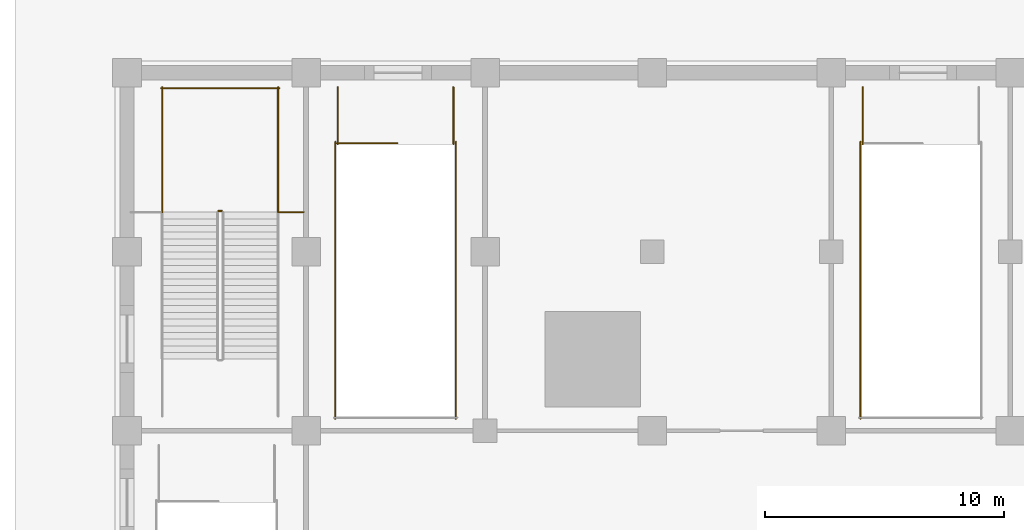
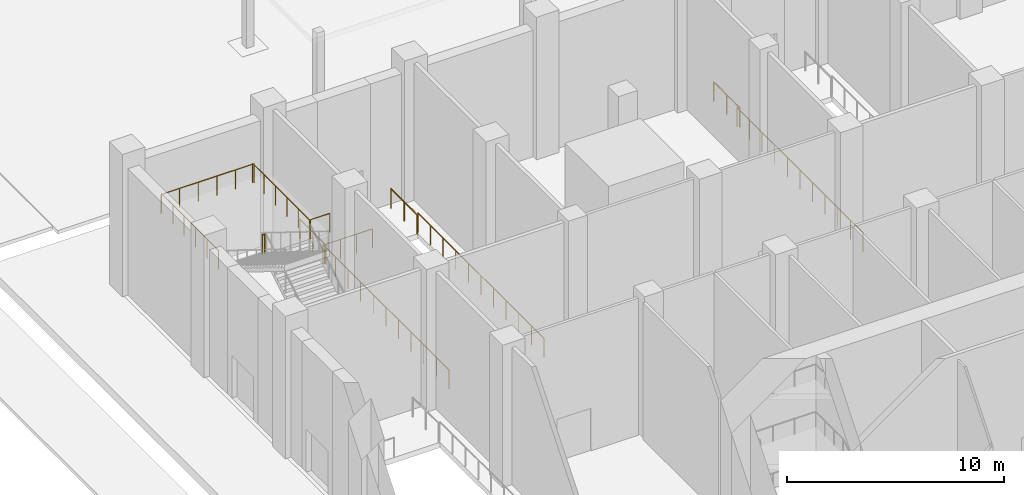
# One storey, part 47 of 57: 12 railings.
"""IFC4 building model written with IfcOpenShell, lengths in metres."""

from ifc_helpers import new_model, si_unit, direction, frame, origin, origin_2d, place, context, subcontext, project, spatial, circle, extrude, material, type_object, element, save


model = new_model("IFC4")

# Units and contexts
model_context = context("Model", 3, precision=1e-05, world=origin(), true_north=direction((0.0, 1.0)))
body_context = subcontext(model_context, "Body", "Model", "MODEL_VIEW")
ifc_project = project(units=[si_unit("LENGTHUNIT", "METRE"), si_unit("AREAUNIT", "SQUARE_METRE"), si_unit("VOLUMEUNIT", "CUBIC_METRE"), si_unit("PLANEANGLEUNIT", "RADIAN"), si_unit("MASSUNIT", "GRAM", prefix="KILO")], contexts=[model_context])

# Site, building, storey
site_placement = place(None, origin())
site = spatial("IfcSite", under=ifc_project, at=site_placement, CompositionType="ELEMENT")
building_placement = place(site_placement, origin())
building = spatial("IfcBuilding", under=site, at=building_placement, Name="Tamorin Gate", CompositionType="ELEMENT")
storey_placement = place(building_placement, origin())
storey = spatial("IfcBuildingStorey", under=building, at=storey_placement, Name="L00", CompositionType="ELEMENT", Elevation=0.0)

# Railings
ifc_material = material(Name="Steel", Category="steel")
railing_type = type_object("IfcRailingType", Name="Podium guard 1100", PredefinedType="GUARDRAIL", material=ifc_material)
railing_1_placement = place(storey_placement, frame((19.47509765625, 106.2099609375, 4.0)))
element("IfcRailing", 1, at=railing_1_placement, inside=storey, type_object=railing_type, Name="L00 PS2 stair guard 2", PredefinedType="GUARDRAIL", context=body_context, shape_type="SweptSolid", body=[
    extrude(circle(Radius=0.02392578125, at=origin_2d()), frame((0.0, 0.0, 1.076171875), z_axis=(-1.0, 0.0, 0.0), x_axis=(0.0, -1.0, 0.0)), (0.0, 0.0, 1.0), 0.150146484375),
    extrude(circle(Radius=0.02099609375, at=origin_2d()), origin(), (0.0, 0.0, 1.0), 1.052001953125),
    extrude(circle(Radius=0.02099609375, at=origin_2d()), frame((-0.150146484375, 0.0, 0.0)), (0.0, 0.0, 1.0), 1.052001953125),
])
for number, where, name in (
    (2, (21.824951171875, 106.159912109375, 4.0), "L00 PS2 stair guard 3"),
    (3, (16.97509765625, 106.159912109375, 4.0), "L00 PS2 stair guard 4"),
):
    element("IfcRailing", number, at=place(storey_placement, frame(where)), inside=storey, type_object=railing_type, Name=name, PredefinedType="GUARDRAIL", context=body_context, shape_type="SweptSolid", body=[
        extrude(circle(Radius=0.02392578125, at=origin_2d()), frame((0.0, 0.0, 1.076171875), z_axis=(0.0, 1.0, 0.0), x_axis=(-1.0, 0.0, 0.0)), (0.0, 0.0, 1.0), 5.239990234375),
        extrude(circle(Radius=0.02099609375, at=origin_2d()), origin(), (0.0, 0.0, 1.0), 1.052001953125),
        extrude(circle(Radius=0.02099609375, at=origin_2d()), frame((0.0, 1.048095703125, 0.0)), (0.0, 0.0, 1.0), 1.052001953125),
        extrude(circle(Radius=0.02099609375, at=origin_2d()), frame((0.0, 2.095947265625, 0.0)), (0.0, 0.0, 1.0), 1.052001953125),
        extrude(circle(Radius=0.02099609375, at=origin_2d()), frame((0.0, 3.14404296875, 0.0)), (0.0, 0.0, 1.0), 1.052001953125),
        extrude(circle(Radius=0.02099609375, at=origin_2d()), frame((0.0, 4.19189453125, 0.0)), (0.0, 0.0, 1.0), 1.052001953125),
        extrude(circle(Radius=0.02099609375, at=origin_2d()), frame((0.0, 5.239990234375, 0.0)), (0.0, 0.0, 1.0), 1.052001953125),
    ])
railing_2_placement = place(storey_placement, frame((21.875, 111.35009765625, 4.0)))
element("IfcRailing", 4, at=railing_2_placement, inside=storey, type_object=railing_type, Name="L00 PS2 stair guard 5", PredefinedType="GUARDRAIL", context=body_context, shape_type="SweptSolid", body=[
    extrude(circle(Radius=0.02392578125, at=origin_2d()), frame((0.0, 0.0, 1.076171875), z_axis=(-1.0, 0.0, 0.0), x_axis=(0.0, -1.0, 0.0)), (0.0, 0.0, 1.0), 4.949951171875),
    extrude(circle(Radius=0.02099609375, at=origin_2d()), origin(), (0.0, 0.0, 1.0), 1.052001953125),
    extrude(circle(Radius=0.02099609375, at=origin_2d()), frame((-0.989990234375, 0.0, 0.0)), (0.0, 0.0, 1.0), 1.052001953125),
    extrude(circle(Radius=0.02099609375, at=origin_2d()), frame((-1.97998046875, 0.0, 0.0)), (0.0, 0.0, 1.0), 1.052001953125),
    extrude(circle(Radius=0.02099609375, at=origin_2d()), frame((-2.969970703125, 0.0, 0.0)), (0.0, 0.0, 1.0), 1.052001953125),
    extrude(circle(Radius=0.02099609375, at=origin_2d()), frame((-3.9599609375, 0.0, 0.0)), (0.0, 0.0, 1.0), 1.052001953125),
    extrude(circle(Radius=0.02099609375, at=origin_2d()), frame((-4.949951171875, 0.0, 0.0)), (0.0, 0.0, 1.0), 1.052001953125),
])
railing_3_placement = place(storey_placement, frame((21.875, 106.159912109375, 4.0)))
element("IfcRailing", 5, at=railing_3_placement, inside=storey, type_object=railing_type, Name="Landing edge guard", PredefinedType="GUARDRAIL", context=body_context, shape_type="SweptSolid", body=[
    extrude(circle(Radius=0.02392578125, at=origin_2d()), frame((0.0, 0.0, 1.076171875), z_axis=(1.0, 0.0, 0.0), x_axis=(0.0, 1.0, 0.0)), (0.0, 0.0, 1.0), 1.02490234375),
    extrude(circle(Radius=0.02099609375, at=origin_2d()), origin(), (0.0, 0.0, 1.0), 1.052001953125),
    extrude(circle(Radius=0.02099609375, at=origin_2d()), frame((1.02490234375, 0.0, 0.0)), (0.0, 0.0, 1.0), 1.052001953125),
])
railing_4_placement = place(storey_placement, frame((24.27490234375, 109.050048828125, 0.0)))
element("IfcRailing", 6, at=railing_4_placement, inside=storey, type_object=railing_type, Name="L00 SB2 top well guard 1", PredefinedType="GUARDRAIL", context=body_context, shape_type="SweptSolid", body=[
    extrude(circle(Radius=0.02392578125, at=origin_2d()), frame((0.0, 0.0, 1.076171875), z_axis=(1.0, 0.0, 0.0), x_axis=(0.0, 1.0, 0.0)), (0.0, 0.0, 1.0), 2.550048828125),
    extrude(circle(Radius=0.02099609375, at=origin_2d()), origin(), (0.0, 0.0, 1.0), 1.052001953125),
    extrude(circle(Radius=0.02099609375, at=origin_2d()), frame((0.85009765625, 0.0, 0.0)), (0.0, 0.0, 1.0), 1.052001953125),
    extrude(circle(Radius=0.02099609375, at=origin_2d()), frame((1.699951171875, 0.0, 0.0)), (0.0, 0.0, 1.0), 1.052001953125),
    extrude(circle(Radius=0.02099609375, at=origin_2d()), frame((2.550048828125, 0.0, 0.0)), (0.0, 0.0, 1.0), 1.052001953125),
])
for number, where, name in (
    (7, (24.22509765625, 109.10009765625, 0.0), "L00 SB2 top well guard 2"),
    (8, (29.27490234375, 109.10009765625, 0.0), "L00 SB2 top well guard 3"),
):
    element("IfcRailing", number, at=place(storey_placement, frame(where)), inside=storey, type_object=railing_type, Name=name, PredefinedType="GUARDRAIL", context=body_context, shape_type="SweptSolid", body=[
        extrude(circle(Radius=0.02392578125, at=origin_2d()), frame((0.0, 0.0, 1.076171875), z_axis=(0.0, -1.0, 0.0), x_axis=(1.0, 0.0, 0.0)), (0.0, 0.0, 1.0), 11.60009765625),
        extrude(circle(Radius=0.02099609375, at=origin_2d()), origin(), (0.0, 0.0, 1.0), 1.052001953125),
        extrude(circle(Radius=0.02099609375, at=origin_2d()), frame((0.0, -1.159912109375, 0.0)), (0.0, 0.0, 1.0), 1.052001953125),
        extrude(circle(Radius=0.02099609375, at=origin_2d()), frame((0.0, -2.320068359375, 0.0)), (0.0, 0.0, 1.0), 1.052001953125),
        extrude(circle(Radius=0.02099609375, at=origin_2d()), frame((0.0, -3.47998046875, 0.0)), (0.0, 0.0, 1.0), 1.052001953125),
        extrude(circle(Radius=0.02099609375, at=origin_2d()), frame((0.0, -4.64013671875, 0.0)), (0.0, 0.0, 1.0), 1.052001953125),
        extrude(circle(Radius=0.02099609375, at=origin_2d()), frame((0.0, -5.800048828125, 0.0)), (0.0, 0.0, 1.0), 1.052001953125),
        extrude(circle(Radius=0.02099609375, at=origin_2d()), frame((0.0, -6.9599609375, 0.0)), (0.0, 0.0, 1.0), 1.052001953125),
        extrude(circle(Radius=0.02099609375, at=origin_2d()), frame((0.0, -8.1201171875, 0.0)), (0.0, 0.0, 1.0), 1.052001953125),
        extrude(circle(Radius=0.02099609375, at=origin_2d()), frame((0.0, -9.280029296875, 0.0)), (0.0, 0.0, 1.0), 1.052001953125),
        extrude(circle(Radius=0.02099609375, at=origin_2d()), frame((0.0, -10.440185546875, 0.0)), (0.0, 0.0, 1.0), 1.052001953125),
        extrude(circle(Radius=0.02099609375, at=origin_2d()), frame((0.0, -11.60009765625, 0.0)), (0.0, 0.0, 1.0), 1.052001953125),
    ])
for number, where, name in (
    (9, (24.324951171875, 111.39990234375, 0.0), "L00 SB2 top well guard 5"),
    (10, (29.175048828125, 111.39990234375, 0.0), "L00 SB2 top well guard 6"),
):
    element("IfcRailing", number, at=place(storey_placement, frame(where)), inside=storey, type_object=railing_type, Name=name, PredefinedType="GUARDRAIL", context=body_context, shape_type="SweptSolid", body=[
        extrude(circle(Radius=0.02392578125, at=origin_2d()), frame((0.0, 0.0, 1.076171875), z_axis=(0.0, -1.0, 0.0), x_axis=(1.0, 0.0, 0.0)), (0.0, 0.0, 1.0), 2.39990234375),
        extrude(circle(Radius=0.02099609375, at=origin_2d()), origin(), (0.0, 0.0, 1.0), 1.052001953125),
        extrude(circle(Radius=0.02099609375, at=origin_2d()), frame((0.0, -1.199951171875, 0.0)), (0.0, 0.0, 1.0), 1.052001953125),
        extrude(circle(Radius=0.02099609375, at=origin_2d()), frame((0.0, -2.39990234375, 0.0)), (0.0, 0.0, 1.0), 1.052001953125),
    ])
railing_5_placement = place(storey_placement, frame((46.22509765625, 109.10009765625, 0.0)))
element("IfcRailing", 11, at=railing_5_placement, inside=storey, type_object=railing_type, Name="L00 SB3 top well guard 2", PredefinedType="GUARDRAIL", context=body_context, shape_type="SweptSolid", body=[
    extrude(circle(Radius=0.02392578125, at=origin_2d()), frame((0.0, 0.0, 1.076171875), z_axis=(0.0, -1.0, 0.0), x_axis=(1.0, 0.0, 0.0)), (0.0, 0.0, 1.0), 11.60009765625),
    extrude(circle(Radius=0.02099609375, at=origin_2d()), origin(), (0.0, 0.0, 1.0), 1.052001953125),
    extrude(circle(Radius=0.02099609375, at=origin_2d()), frame((0.0, -1.159912109375, 0.0)), (0.0, 0.0, 1.0), 1.052001953125),
    extrude(circle(Radius=0.02099609375, at=origin_2d()), frame((0.0, -2.320068359375, 0.0)), (0.0, 0.0, 1.0), 1.052001953125),
    extrude(circle(Radius=0.02099609375, at=origin_2d()), frame((0.0, -3.47998046875, 0.0)), (0.0, 0.0, 1.0), 1.052001953125),
    extrude(circle(Radius=0.02099609375, at=origin_2d()), frame((0.0, -4.64013671875, 0.0)), (0.0, 0.0, 1.0), 1.052001953125),
    extrude(circle(Radius=0.02099609375, at=origin_2d()), frame((0.0, -5.800048828125, 0.0)), (0.0, 0.0, 1.0), 1.052001953125),
    extrude(circle(Radius=0.02099609375, at=origin_2d()), frame((0.0, -6.9599609375, 0.0)), (0.0, 0.0, 1.0), 1.052001953125),
    extrude(circle(Radius=0.02099609375, at=origin_2d()), frame((0.0, -8.1201171875, 0.0)), (0.0, 0.0, 1.0), 1.052001953125),
    extrude(circle(Radius=0.02099609375, at=origin_2d()), frame((0.0, -9.280029296875, 0.0)), (0.0, 0.0, 1.0), 1.052001953125),
    extrude(circle(Radius=0.02099609375, at=origin_2d()), frame((0.0, -10.440185546875, 0.0)), (0.0, 0.0, 1.0), 1.052001953125),
    extrude(circle(Radius=0.02099609375, at=origin_2d()), frame((0.0, -11.60009765625, 0.0)), (0.0, 0.0, 1.0), 1.052001953125),
])
railing_6_placement = place(storey_placement, frame((46.324951171875, 111.39990234375, 0.0)))
element("IfcRailing", 12, at=railing_6_placement, inside=storey, type_object=railing_type, Name="L00 SB3 top well guard 5", PredefinedType="GUARDRAIL", context=body_context, shape_type="SweptSolid", body=[
    extrude(circle(Radius=0.02392578125, at=origin_2d()), frame((0.0, 0.0, 1.076171875), z_axis=(0.0, -1.0, 0.0), x_axis=(1.0, 0.0, 0.0)), (0.0, 0.0, 1.0), 2.39990234375),
    extrude(circle(Radius=0.02099609375, at=origin_2d()), origin(), (0.0, 0.0, 1.0), 1.052001953125),
    extrude(circle(Radius=0.02099609375, at=origin_2d()), frame((0.0, -1.199951171875, 0.0)), (0.0, 0.0, 1.0), 1.052001953125),
    extrude(circle(Radius=0.02099609375, at=origin_2d()), frame((0.0, -2.39990234375, 0.0)), (0.0, 0.0, 1.0), 1.052001953125),
])

save(model, "model.ifc")
